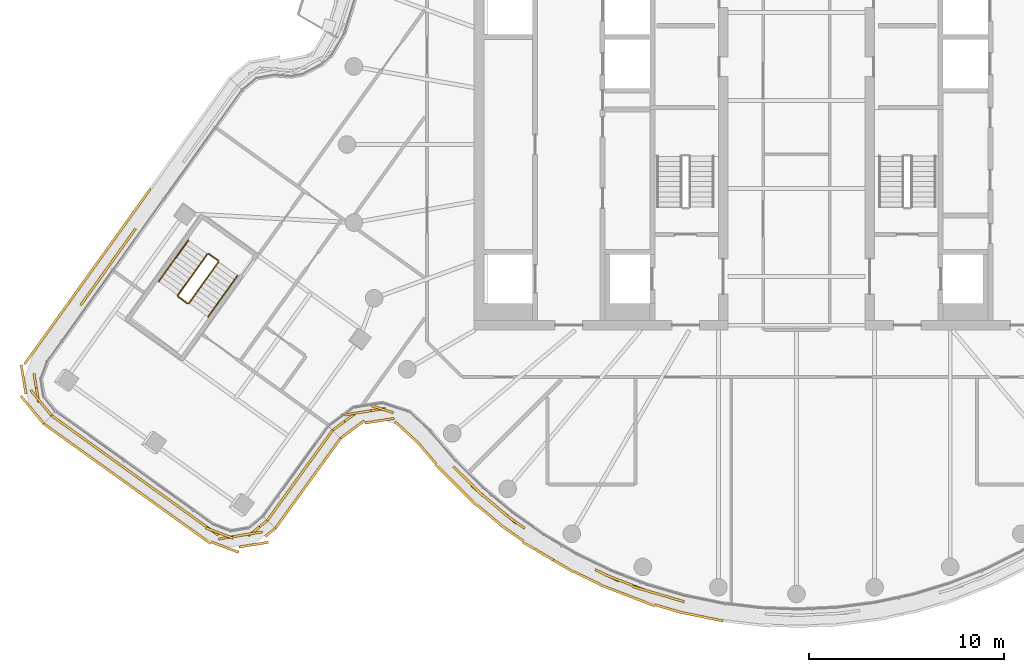
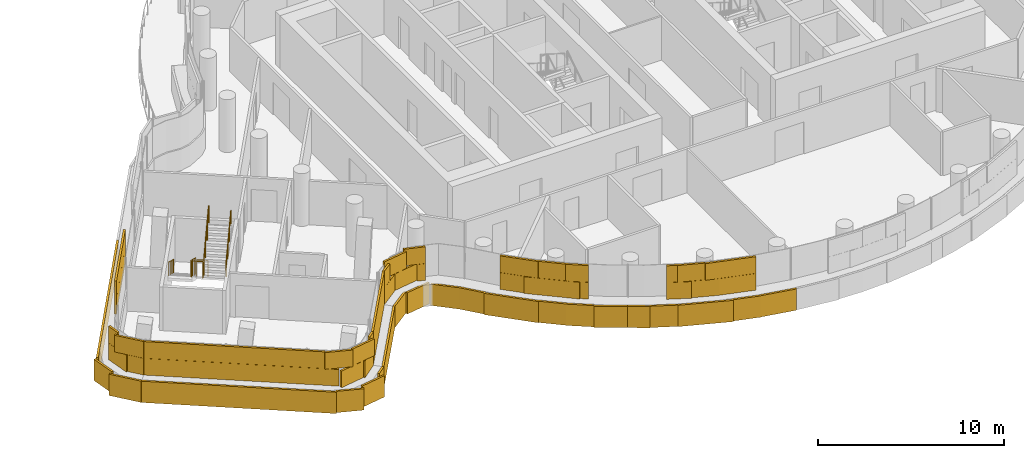
# One storey, part 22 of 27: 6 railings, 5 coverings.
"""IFC4 building model written with IfcOpenShell, lengths in metres."""

from ifc_helpers import new_model, si_unit, direction, frame, origin, origin_2d, place, context, subcontext, project, spatial, rectangle, circle, extrude, material, layer, layer_set, type_object, element, save


model = new_model("IFC4")

# Units and contexts
model_context = context("Model", 3, precision=1e-05, world=origin(), true_north=direction((0.0, 1.0)))
body_context = subcontext(model_context, "Body", "Model", "MODEL_VIEW")
ifc_project = project(units=[si_unit("LENGTHUNIT", "METRE"), si_unit("AREAUNIT", "SQUARE_METRE"), si_unit("VOLUMEUNIT", "CUBIC_METRE"), si_unit("PLANEANGLEUNIT", "RADIAN"), si_unit("MASSUNIT", "GRAM", prefix="KILO")], contexts=[model_context])

# Site, building, storey
site_placement = place(None, origin())
site = spatial("IfcSite", under=ifc_project, at=site_placement, CompositionType="ELEMENT")
building_placement = place(site_placement, origin())
building = spatial("IfcBuilding", under=site, at=building_placement, Name="Tamarind Cross Interchange Tower", CompositionType="ELEMENT")
storey_placement = place(building_placement, frame((0.0, 0.0, 230.699951171875)))
storey = spatial("IfcBuildingStorey", under=building, at=storey_placement, Name="L58", CompositionType="ELEMENT", Elevation=230.699951171875)

# Railings
ifc_material_1 = material(Name="Stair guard")
railing_type_1 = type_object("IfcRailingType", Name="Stair guard", PredefinedType="GUARDRAIL", material=ifc_material_1)
railing_1_placement = place(storey_placement, frame((-30.14453125, -5.601806640625, 0.16357421875)))
element("IfcRailing", 1, at=railing_1_placement, inside=storey, type_object=railing_type_1, Name="L58 ST5 stair guard 1", PredefinedType="GUARDRAIL", context=body_context, shape_type="SweptSolid", body=[
    extrude(circle(Radius=0.02392578125, at=origin_2d()), frame((0.0, 0.0, 1.076171875), z_axis=(-0.493519545822, -0.687510079051, 0.532699116851), x_axis=(0.812367078114, -0.583146405628, 0.0)), (0.0, 0.0, 1.0), 3.072021484375),
    extrude(circle(Radius=0.02099609375, at=origin_2d()), origin(), (0.0, 0.0, 1.0), 1.052001953125),
    extrude(circle(Radius=0.02099609375, at=origin_2d()), frame((-0.50537109375, -0.7041015625, 0.54541015625)), (0.0, 0.0, 1.0), 1.052001953125),
    extrude(circle(Radius=0.02099609375, at=origin_2d()), frame((-1.0107421875, -1.407958984375, 1.091064453125)), (0.0, 0.0, 1.0), 1.052001953125),
    extrude(circle(Radius=0.02099609375, at=origin_2d()), frame((-1.51611328125, -2.112060546875, 1.636474609375)), (0.0, 0.0, 1.0), 1.052001953125),
])
railing_2_placement = place(storey_placement, frame((-31.649169921875, -7.78369140625, 1.800048828125)))
element("IfcRailing", 2, at=railing_2_placement, inside=storey, type_object=railing_type_1, Name="L58 ST5 stair guard 2", PredefinedType="GUARDRAIL", context=body_context, shape_type="SweptSolid", body=[
    extrude(circle(Radius=0.02392578125, at=origin_2d()), frame((0.0, 0.0, 1.076171875), z_axis=(0.812467031037, -0.583007138445, 0.0), x_axis=(0.583007138445, 0.812467031037, 0.0)), (0.0, 0.0, 1.0), 0.60009765625),
    extrude(circle(Radius=0.02099609375, at=origin_2d()), origin(), (0.0, 0.0, 1.0), 1.052001953125),
    extrude(circle(Radius=0.02099609375, at=origin_2d()), frame((0.487548828125, -0.349853515625, 0.0)), (0.0, 0.0, 1.0), 1.052001953125),
])
railing_3_placement = place(storey_placement, frame((-31.092041015625, -8.1220703125, 1.963623046875)))
element("IfcRailing", 3, at=railing_3_placement, inside=storey, type_object=railing_type_1, Name="L58 ST5 stair guard 3", PredefinedType="GUARDRAIL", context=body_context, shape_type="SweptSolid", body=[
    extrude(circle(Radius=0.02392578125, at=origin_2d()), frame((0.0, 0.0, 1.076171875), z_axis=(0.493519545822, 0.687510079051, 0.532699116851), x_axis=(-0.812367078114, 0.583146405628, 0.0)), (0.0, 0.0, 1.0), 3.072021484375),
    extrude(circle(Radius=0.02099609375, at=origin_2d()), origin(), (0.0, 0.0, 1.0), 1.052001953125),
    extrude(circle(Radius=0.02099609375, at=origin_2d()), frame((0.50537109375, 0.7041015625, 0.54541015625)), (0.0, 0.0, 1.0), 1.052001953125),
    extrude(circle(Radius=0.02099609375, at=origin_2d()), frame((1.0107421875, 1.407958984375, 1.091064453125)), (0.0, 0.0, 1.0), 1.052001953125),
    extrude(circle(Radius=0.02099609375, at=origin_2d()), frame((1.51611328125, 2.112060546875, 1.636474609375)), (0.0, 0.0, 1.0), 1.052001953125),
])
railing_4_placement = place(storey_placement, frame((-30.07470703125, -5.59033203125, 0.0)))
element("IfcRailing", 4, at=railing_4_placement, inside=storey, type_object=railing_type_1, Name="L58 ST5 stair guard 4", PredefinedType="GUARDRAIL", context=body_context, shape_type="SweptSolid", body=[
    extrude(circle(Radius=0.02392578125, at=origin_2d()), frame((0.0, 0.0, 1.076171875), z_axis=(0.812328677333, -0.583199897104, 0.0), x_axis=(0.583199897104, 0.812328677333, 0.0)), (0.0, 0.0, 1.0), 0.599853515625),
    extrude(circle(Radius=0.02099609375, at=origin_2d()), origin(), (0.0, 0.0, 1.0), 1.052001953125),
    extrude(circle(Radius=0.02099609375, at=origin_2d()), frame((0.4873046875, -0.349853515625, 0.0)), (0.0, 0.0, 1.0), 1.052001953125),
])
ifc_material_2 = material(Name="Stair handrail")
railing_type_2 = type_object("IfcRailingType", Name="Stair handrail", PredefinedType="HANDRAIL", material=ifc_material_2)
railing_5_placement = place(storey_placement, frame((-31.119384765625, -4.90185546875, 0.16357421875)))
element("IfcRailing", 5, at=railing_5_placement, inside=storey, type_object=railing_type_2, Name="L58 ST5 stair handrail 1", PredefinedType="HANDRAIL", context=body_context, shape_type="SweptSolid", body=[
    extrude(circle(Radius=0.02392578125, at=origin_2d()), frame((0.0, 0.0, 0.8759765625), z_axis=(-0.493492581737, -0.687551983444, 0.532670012139), x_axis=(0.81239900757, -0.583101922909, 0.0)), (0.0, 0.0, 1.0), 3.072265625),
    extrude(circle(Radius=0.02099609375, at=origin_2d()), origin(), (0.0, 0.0, 1.0), 0.851806640625),
    extrude(circle(Radius=0.02099609375, at=origin_2d()), frame((-0.50537109375, -0.7041015625, 0.54541015625)), (0.0, 0.0, 1.0), 0.851806640625),
    extrude(circle(Radius=0.02099609375, at=origin_2d()), frame((-1.0107421875, -1.408203125, 1.091064453125)), (0.0, 0.0, 1.0), 0.851806640625),
    extrude(circle(Radius=0.02099609375, at=origin_2d()), frame((-1.51611328125, -2.1123046875, 1.636474609375)), (0.0, 0.0, 1.0), 0.851806640625),
])
railing_6_placement = place(storey_placement, frame((-30.1171875, -8.82177734375, 1.963623046875)))
element("IfcRailing", 6, at=railing_6_placement, inside=storey, type_object=railing_type_2, Name="L58 ST5 stair handrail 2", PredefinedType="HANDRAIL", context=body_context, shape_type="SweptSolid", body=[
    extrude(circle(Radius=0.02392578125, at=origin_2d()), frame((0.0, 0.0, 0.8759765625), z_axis=(0.493519545822, 0.687510079051, 0.532699116851), x_axis=(-0.812367078114, 0.583146405628, 0.0)), (0.0, 0.0, 1.0), 3.072021484375),
    extrude(circle(Radius=0.02099609375, at=origin_2d()), origin(), (0.0, 0.0, 1.0), 0.851806640625),
    extrude(circle(Radius=0.02099609375, at=origin_2d()), frame((0.50537109375, 0.7041015625, 0.54541015625)), (0.0, 0.0, 1.0), 0.851806640625),
    extrude(circle(Radius=0.02099609375, at=origin_2d()), frame((1.0107421875, 1.407958984375, 1.091064453125)), (0.0, 0.0, 1.0), 0.851806640625),
    extrude(circle(Radius=0.02099609375, at=origin_2d()), frame((1.51611328125, 2.112060546875, 1.636474609375)), (0.0, 0.0, 1.0), 0.851806640625),
])

# Coverings
ifc_material_3 = material(Name="Terracotta", Category="masonry")
ifc_layer = layer(ifc_material_3, 0.1201171875)
ifc_layer_set = layer_set([ifc_layer], Name="Terracotta")
covering_type = type_object("IfcCoveringType", Name="Terracotta baguette screen unit", PredefinedType="MOLDING", material=ifc_layer_set)
covering_1_placement = place(storey_placement, origin())
element("IfcCovering", 7, at=covering_1_placement, inside=storey, type_object=covering_type, Name="SCR-L58-00-00", PredefinedType="MOLDING", context=body_context, shape_type="SweptSolid", body=[
    extrude(rectangle(XDim=1.510009765625, YDim=0.1201171875, at=origin_2d()), frame((-37.513916015625, -14.3046875, 1.40380859375), z_axis=(0.0, 0.0, 1.0), x_axis=(0.812384886086, -0.583121596975, 0.0)), (0.0, 0.0, 1.0), 1.092041015625),
    extrude(rectangle(XDim=1.52001953125, YDim=0.1201171875, at=origin_2d()), frame((-36.29541015625, -15.179443359375, 1.40380859375), z_axis=(0.0, 0.0, 1.0), x_axis=(0.812384886086, -0.583121596975, 0.0)), (0.0, 0.0, 1.0), 1.092041015625),
    extrude(rectangle(XDim=1.52001953125, YDim=0.1201171875, at=origin_2d()), frame((-35.07666015625, -16.05419921875, 1.40380859375), z_axis=(0.0, 0.0, 1.0), x_axis=(0.812384886086, -0.583121596975, 0.0)), (0.0, 0.0, 1.0), 1.092041015625),
    extrude(rectangle(XDim=1.52001953125, YDim=0.1201171875, at=origin_2d()), frame((-33.858154296875, -16.9287109375, 1.40380859375), z_axis=(0.0, 0.0, 1.0), x_axis=(0.812384886086, -0.583121596975, 0.0)), (0.0, 0.0, 1.0), 1.092041015625),
    extrude(rectangle(XDim=1.52001953125, YDim=0.1201171875, at=origin_2d()), frame((-32.6396484375, -17.803466796875, 1.40380859375), z_axis=(0.0, 0.0, 1.0), x_axis=(0.812384886086, -0.583121596975, 0.0)), (0.0, 0.0, 1.0), 1.092041015625),
    extrude(rectangle(XDim=1.52001953125, YDim=0.1201171875, at=origin_2d()), frame((-31.4208984375, -18.67822265625, 1.40380859375), z_axis=(0.0, 0.0, 1.0), x_axis=(0.812384886086, -0.583121596975, 0.0)), (0.0, 0.0, 1.0), 1.092041015625),
    extrude(rectangle(XDim=1.52001953125, YDim=0.1201171875, at=origin_2d()), frame((-30.202392578125, -19.552734375, 1.40380859375), z_axis=(0.0, 0.0, 1.0), x_axis=(0.812384886086, -0.583121596975, 0.0)), (0.0, 0.0, 1.0), 1.092041015625),
    extrude(rectangle(XDim=1.52001953125, YDim=0.1201171875, at=origin_2d()), frame((-28.82470703125, -20.0654296875, 1.40380859375), z_axis=(0.0, 0.0, 1.0), x_axis=(0.986772097362, 0.162113626407, 0.0)), (0.0, 0.0, 1.0), 1.092041015625),
    extrude(rectangle(XDim=1.259521484375, YDim=0.1201171875, at=origin_2d()), frame((-27.5634765625, -19.632080078125, 1.40380859375), z_axis=(0.0, 0.0, 1.0), x_axis=(0.773512890858, 0.63378056745, 0.0)), (0.0, 0.0, 1.0), 1.092041015625),
    extrude(rectangle(XDim=0.760009765625, YDim=0.1201171875, at=origin_2d()), frame((-37.818603515625, -14.086181640625, 2.50390625), z_axis=(0.0, 0.0, 1.0), x_axis=(0.812384886086, -0.583121596975, 0.0)), (0.0, 0.0, 1.0), 1.092041015625),
    extrude(rectangle(XDim=1.52001953125, YDim=0.1201171875, at=origin_2d()), frame((-36.904541015625, -14.7421875, 2.50390625), z_axis=(0.0, 0.0, 1.0), x_axis=(0.812384886086, -0.583121596975, 0.0)), (0.0, 0.0, 1.0), 1.092041015625),
    extrude(rectangle(XDim=1.52001953125, YDim=0.1201171875, at=origin_2d()), frame((-35.68603515625, -15.61669921875, 2.50390625), z_axis=(0.0, 0.0, 1.0), x_axis=(0.812384886086, -0.583121596975, 0.0)), (0.0, 0.0, 1.0), 1.092041015625),
    extrude(rectangle(XDim=1.52001953125, YDim=0.1201171875, at=origin_2d()), frame((-34.467529296875, -16.491455078125, 2.50390625), z_axis=(0.0, 0.0, 1.0), x_axis=(0.812384886086, -0.583121596975, 0.0)), (0.0, 0.0, 1.0), 1.092041015625),
    extrude(rectangle(XDim=1.52001953125, YDim=0.1201171875, at=origin_2d()), frame((-33.248779296875, -17.3662109375, 2.50390625), z_axis=(0.0, 0.0, 1.0), x_axis=(0.812384886086, -0.583121596975, 0.0)), (0.0, 0.0, 1.0), 1.092041015625),
    extrude(rectangle(XDim=1.52001953125, YDim=0.1201171875, at=origin_2d()), frame((-32.0302734375, -18.24072265625, 2.50390625), z_axis=(0.0, 0.0, 1.0), x_axis=(0.812384886086, -0.583121596975, 0.0)), (0.0, 0.0, 1.0), 1.092041015625),
    extrude(rectangle(XDim=1.52001953125, YDim=0.1201171875, at=origin_2d()), frame((-30.811767578125, -19.115478515625, 2.50390625), z_axis=(0.0, 0.0, 1.0), x_axis=(0.812384886086, -0.583121596975, 0.0)), (0.0, 0.0, 1.0), 1.092041015625),
    extrude(rectangle(XDim=1.52001953125, YDim=0.1201171875, at=origin_2d()), frame((-29.534423828125, -19.880615234375, 2.50390625), z_axis=(0.0, 0.0, 1.0), x_axis=(0.935626517265, -0.352991529913, 0.0)), (0.0, 0.0, 1.0), 1.092041015625),
    extrude(rectangle(XDim=1.52001953125, YDim=0.1201171875, at=origin_2d()), frame((-28.084716796875, -19.94384765625, 2.50390625), z_axis=(0.0, 0.0, 1.0), x_axis=(0.986772097362, 0.162113626407, 0.0)), (0.0, 0.0, 1.0), 1.092041015625),
    extrude(rectangle(XDim=0.509521484375, YDim=0.1201171875, at=origin_2d()), frame((-27.2734375, -19.394287109375, 2.50390625), z_axis=(0.0, 0.0, 1.0), x_axis=(0.773512890858, 0.63378056745, 0.0)), (0.0, 0.0, 1.0), 1.092041015625),
    extrude(rectangle(XDim=1.510009765625, YDim=0.1201171875, at=origin_2d()), frame((-37.906005859375, -14.72998046875, 0.00390625), z_axis=(0.0, 0.0, 1.0), x_axis=(0.812384886086, -0.583121596975, 0.0)), (0.0, 0.0, 1.0), 1.39208984375),
    extrude(rectangle(XDim=1.52001953125, YDim=0.1201171875, at=origin_2d()), frame((-36.69140625, -15.6015625, 0.00390625), z_axis=(0.0, 0.0, 1.0), x_axis=(0.812384886086, -0.583121596975, 0.0)), (0.0, 0.0, 1.0), 1.39208984375),
    extrude(rectangle(XDim=1.52001953125, YDim=0.1201171875, at=origin_2d()), frame((-35.472900390625, -16.476318359375, 0.00390625), z_axis=(0.0, 0.0, 1.0), x_axis=(0.812384886086, -0.583121596975, 0.0)), (0.0, 0.0, 1.0), 1.39208984375),
    extrude(rectangle(XDim=1.52001953125, YDim=0.1201171875, at=origin_2d()), frame((-34.254150390625, -17.35107421875, 0.00390625), z_axis=(0.0, 0.0, 1.0), x_axis=(0.812384886086, -0.583121596975, 0.0)), (0.0, 0.0, 1.0), 1.39208984375),
    extrude(rectangle(XDim=1.52001953125, YDim=0.1201171875, at=origin_2d()), frame((-33.03564453125, -18.225830078125, 0.00390625), z_axis=(0.0, 0.0, 1.0), x_axis=(0.812384886086, -0.583121596975, 0.0)), (0.0, 0.0, 1.0), 1.39208984375),
    extrude(rectangle(XDim=1.52001953125, YDim=0.1201171875, at=origin_2d()), frame((-31.817138671875, -19.100341796875, 0.00390625), z_axis=(0.0, 0.0, 1.0), x_axis=(0.812384886086, -0.583121596975, 0.0)), (0.0, 0.0, 1.0), 1.39208984375),
    extrude(rectangle(XDim=1.52001953125, YDim=0.1201171875, at=origin_2d()), frame((-30.5986328125, -19.97509765625, 0.00390625), z_axis=(0.0, 0.0, 1.0), x_axis=(0.812384886086, -0.583121596975, 0.0)), (0.0, 0.0, 1.0), 1.39208984375),
    extrude(rectangle(XDim=1.52001953125, YDim=0.1201171875, at=origin_2d()), frame((-29.24755859375, -20.602294921875, 0.00390625), z_axis=(0.0, 0.0, 1.0), x_axis=(0.935626517265, -0.352991529913, 0.0)), (0.0, 0.0, 1.0), 1.39208984375),
    extrude(rectangle(XDim=1.52001953125, YDim=0.1201171875, at=origin_2d()), frame((-27.77880859375, -20.475341796875, 0.00390625), z_axis=(0.0, 0.0, 1.0), x_axis=(0.986772097362, 0.162113626407, 0.0)), (0.0, 0.0, 1.0), 1.39208984375),
    extrude(rectangle(XDim=0.675537109375, YDim=0.1201171875, at=origin_2d()), frame((-26.92041015625, -19.84716796875, 0.00390625), z_axis=(0.0, 0.0, 1.0), x_axis=(0.773512890858, 0.63378056745, 0.0)), (0.0, 0.0, 1.0), 1.39208984375),
])
covering_2_placement = place(storey_placement, origin())
element("IfcCovering", 8, at=covering_2_placement, inside=storey, type_object=covering_type, Name="SCR-L58-01-00", PredefinedType="MOLDING", context=body_context, shape_type="SweptSolid", body=[
    extrude(rectangle(XDim=1.510009765625, YDim=0.1201171875, at=origin_2d()), frame((-26.639892578125, -18.62890625, 1.40380859375), z_axis=(0.0, 0.0, 1.0), x_axis=(0.587095802606, 0.809517460319, 0.0)), (0.0, 0.0, 1.0), 1.092041015625),
    extrude(rectangle(XDim=1.52001953125, YDim=0.1201171875, at=origin_2d()), frame((-25.75927734375, -17.414794921875, 1.40380859375), z_axis=(0.0, 0.0, 1.0), x_axis=(0.587095802606, 0.809517460319, 0.0)), (0.0, 0.0, 1.0), 1.092041015625),
    extrude(rectangle(XDim=1.52001953125, YDim=0.1201171875, at=origin_2d()), frame((-24.878662109375, -16.200439453125, 1.40380859375), z_axis=(0.0, 0.0, 1.0), x_axis=(0.587095802606, 0.809517460319, 0.0)), (0.0, 0.0, 1.0), 1.092041015625),
    extrude(rectangle(XDim=1.20947265625, YDim=0.1201171875, at=origin_2d()), frame((-24.086181640625, -15.10791015625, 1.40380859375), z_axis=(0.0, 0.0, 1.0), x_axis=(0.587095802606, 0.809517460319, 0.0)), (0.0, 0.0, 1.0), 1.092041015625),
    extrude(rectangle(XDim=0.760009765625, YDim=0.1201171875, at=origin_2d()), frame((-26.860107421875, -18.9326171875, 2.50390625), z_axis=(0.0, 0.0, 1.0), x_axis=(0.587095802606, 0.809517460319, 0.0)), (0.0, 0.0, 1.0), 1.092041015625),
    extrude(rectangle(XDim=1.52001953125, YDim=0.1201171875, at=origin_2d()), frame((-26.199462890625, -18.02197265625, 2.50390625), z_axis=(0.0, 0.0, 1.0), x_axis=(0.587095802606, 0.809517460319, 0.0)), (0.0, 0.0, 1.0), 1.092041015625),
    extrude(rectangle(XDim=1.52001953125, YDim=0.1201171875, at=origin_2d()), frame((-25.31884765625, -16.8076171875, 2.50390625), z_axis=(0.0, 0.0, 1.0), x_axis=(0.587095802606, 0.809517460319, 0.0)), (0.0, 0.0, 1.0), 1.092041015625),
    extrude(rectangle(XDim=1.52001953125, YDim=0.1201171875, at=origin_2d()), frame((-24.438232421875, -15.59326171875, 2.50390625), z_axis=(0.0, 0.0, 1.0), x_axis=(0.587095802606, 0.809517460319, 0.0)), (0.0, 0.0, 1.0), 1.092041015625),
    extrude(rectangle(XDim=0.45947265625, YDim=0.1201171875, at=origin_2d()), frame((-23.865966796875, -14.80419921875, 2.50390625), z_axis=(0.0, 0.0, 1.0), x_axis=(0.587095802606, 0.809517460319, 0.0)), (0.0, 0.0, 1.0), 1.092041015625),
    extrude(rectangle(XDim=1.510009765625, YDim=0.1201171875, at=origin_2d()), frame((-26.2158203125, -19.02197265625, 0.00390625), z_axis=(0.0, 0.0, 1.0), x_axis=(0.587095802606, 0.809517460319, 0.0)), (0.0, 0.0, 1.0), 1.39208984375),
    extrude(rectangle(XDim=1.52001953125, YDim=0.1201171875, at=origin_2d()), frame((-25.338134765625, -17.811767578125, 0.00390625), z_axis=(0.0, 0.0, 1.0), x_axis=(0.587095802606, 0.809517460319, 0.0)), (0.0, 0.0, 1.0), 1.39208984375),
    extrude(rectangle(XDim=1.52001953125, YDim=0.1201171875, at=origin_2d()), frame((-24.45751953125, -16.597412109375, 0.00390625), z_axis=(0.0, 0.0, 1.0), x_axis=(0.587095802606, 0.809517460319, 0.0)), (0.0, 0.0, 1.0), 1.39208984375),
    extrude(rectangle(XDim=1.1953125, YDim=0.1201171875, at=origin_2d()), frame((-23.672119140625, -15.5146484375, 0.00390625), z_axis=(0.0, 0.0, 1.0), x_axis=(0.587095802606, 0.809517460319, 0.0)), (0.0, 0.0, 1.0), 1.39208984375),
])
covering_3_placement = place(storey_placement, origin())
element("IfcCovering", 9, at=covering_3_placement, inside=storey, type_object=covering_type, Name="SCR-L58-02-00", PredefinedType="MOLDING", context=body_context, shape_type="SweptSolid", body=[
    extrude(rectangle(XDim=1.510009765625, YDim=0.1201171875, at=origin_2d()), frame((-23.1318359375, -14.17529296875, 1.40380859375), z_axis=(0.0, 0.0, 1.0), x_axis=(0.802985376269, 0.595998729444, 0.0)), (0.0, 0.0, 1.0), 1.092041015625),
    extrude(rectangle(XDim=1.52001953125, YDim=0.1201171875, at=origin_2d()), frame((-21.78369140625, -13.622802734375, 1.40380859375), z_axis=(0.0, 0.0, 1.0), x_axis=(0.987616798841, 0.156885495336, 0.0)), (0.0, 0.0, 1.0), 1.092041015625),
    extrude(rectangle(XDim=0.447265625, YDim=0.1201171875, at=origin_2d()), frame((-20.84228515625, -13.6591796875, 1.40380859375), z_axis=(0.0, 0.0, 1.0), x_axis=(0.950110116466, -0.311914678379, 0.0)), (0.0, 0.0, 1.0), 1.092041015625),
    extrude(rectangle(XDim=1.372802734375, YDim=0.1201171875, at=origin_2d()), frame((-17.07958984375, -16.954833984375, 1.40380859375), z_axis=(0.0, 0.0, 1.0), x_axis=(0.710143317658, -0.704057148523, 0.0)), (0.0, 0.0, 1.0), 1.092041015625),
    extrude(rectangle(XDim=1.52001953125, YDim=0.1201171875, at=origin_2d()), frame((-16.049560546875, -17.94775390625, 1.40380859375), z_axis=(0.0, 0.0, 1.0), x_axis=(0.765858396687, -0.643009266048, 0.0)), (0.0, 0.0, 1.0), 1.092041015625),
    extrude(rectangle(XDim=1.52001953125, YDim=0.1201171875, at=origin_2d()), frame((-14.90087890625, -18.912353515625, 1.40380859375), z_axis=(0.0, 0.0, 1.0), x_axis=(0.765858396687, -0.643009266048, 0.0)), (0.0, 0.0, 1.0), 1.092041015625),
    extrude(rectangle(XDim=0.481201171875, YDim=0.1201171875, at=origin_2d()), frame((-14.108642578125, -19.497802734375, 1.40380859375), z_axis=(0.0, 0.0, 1.0), x_axis=(0.816341886298, -0.577568978284, 0.0)), (0.0, 0.0, 1.0), 1.092041015625),
    extrude(rectangle(XDim=0.760009765625, YDim=0.1201171875, at=origin_2d()), frame((-23.432861328125, -14.39892578125, 2.50390625), z_axis=(0.0, 0.0, 1.0), x_axis=(0.802985376269, 0.595998729444, 0.0)), (0.0, 0.0, 1.0), 1.092041015625),
    extrude(rectangle(XDim=1.52001953125, YDim=0.1201171875, at=origin_2d()), frame((-22.5244140625, -13.740478515625, 2.50390625), z_axis=(0.0, 0.0, 1.0), x_axis=(0.987616798841, 0.156885495336, 0.0)), (0.0, 0.0, 1.0), 1.092041015625),
    extrude(rectangle(XDim=1.197265625, YDim=0.1201171875, at=origin_2d()), frame((-21.198486328125, -13.542236328125, 2.50390625), z_axis=(0.0, 0.0, 1.0), x_axis=(0.950110116466, -0.311914678379, 0.0)), (0.0, 0.0, 1.0), 1.092041015625),
    extrude(rectangle(XDim=0.622802734375, YDim=0.1201171875, at=origin_2d()), frame((-17.345947265625, -16.69091796875, 2.50390625), z_axis=(0.0, 0.0, 1.0), x_axis=(0.710143317658, -0.704057148523, 0.0)), (0.0, 0.0, 1.0), 1.092041015625),
    extrude(rectangle(XDim=1.52001953125, YDim=0.1201171875, at=origin_2d()), frame((-16.595703125, -17.4345703125, 2.50390625), z_axis=(0.0, 0.0, 1.0), x_axis=(0.710143317658, -0.704057148523, 0.0)), (0.0, 0.0, 1.0), 1.092041015625),
    extrude(rectangle(XDim=1.52001953125, YDim=0.1201171875, at=origin_2d()), frame((-15.47509765625, -18.429931640625, 2.50390625), z_axis=(0.0, 0.0, 1.0), x_axis=(0.765858396687, -0.643009266048, 0.0)), (0.0, 0.0, 1.0), 1.092041015625),
    extrude(rectangle(XDim=1.231201171875, YDim=0.1201171875, at=origin_2d()), frame((-14.414794921875, -19.281005859375, 2.50390625), z_axis=(0.0, 0.0, 1.0), x_axis=(0.816341886298, -0.577568978284, 0.0)), (0.0, 0.0, 1.0), 1.092041015625),
    extrude(rectangle(XDim=1.510009765625, YDim=0.1201171875, at=origin_2d()), frame((-22.71484375, -14.580810546875, 0.00390625), z_axis=(0.0, 0.0, 1.0), x_axis=(0.802985376269, 0.595998729444, 0.0)), (0.0, 0.0, 1.0), 1.39208984375),
    extrude(rectangle(XDim=1.52001953125, YDim=0.1201171875, at=origin_2d()), frame((-21.32861328125, -14.1318359375, 0.00390625), z_axis=(0.0, 0.0, 1.0), x_axis=(0.987616798841, 0.156885495336, 0.0)), (0.0, 0.0, 1.0), 1.39208984375),
    extrude(rectangle(XDim=1.52001953125, YDim=0.1201171875, at=origin_2d()), frame((-19.978271484375, -14.703125, 0.00390625), z_axis=(0.0, 0.0, 1.0), x_axis=(0.734844878206, -0.678235213605, 0.0)), (0.0, 0.0, 1.0), 1.39208984375),
    extrude(rectangle(XDim=1.52001953125, YDim=0.1201171875, at=origin_2d()), frame((-18.93115234375, -15.773681640625, 0.00390625), z_axis=(0.0, 0.0, 1.0), x_axis=(0.64957723968, -0.760295606781, 0.0)), (0.0, 0.0, 1.0), 1.39208984375),
    extrude(rectangle(XDim=1.52001953125, YDim=0.1201171875, at=origin_2d()), frame((-17.946044921875, -16.904052734375, 0.00390625), z_axis=(0.0, 0.0, 1.0), x_axis=(0.710143317658, -0.704057148523, 0.0)), (0.0, 0.0, 1.0), 1.39208984375),
    extrude(rectangle(XDim=1.52001953125, YDim=0.1201171875, at=origin_2d()), frame((-16.880859375, -17.960205078125, 0.00390625), z_axis=(0.0, 0.0, 1.0), x_axis=(0.710143317658, -0.704057148523, 0.0)), (0.0, 0.0, 1.0), 1.39208984375),
    extrude(rectangle(XDim=1.52001953125, YDim=0.1201171875, at=origin_2d()), frame((-15.752197265625, -18.94677734375, 0.00390625), z_axis=(0.0, 0.0, 1.0), x_axis=(0.765858396687, -0.643009266048, 0.0)), (0.0, 0.0, 1.0), 1.39208984375),
    extrude(rectangle(XDim=1.52001953125, YDim=0.1201171875, at=origin_2d()), frame((-14.5732421875, -19.8720703125, 0.00390625), z_axis=(0.0, 0.0, 1.0), x_axis=(0.816341886298, -0.577568978284, 0.0)), (0.0, 0.0, 1.0), 1.39208984375),
    extrude(rectangle(XDim=1.52001953125, YDim=0.1201171875, at=origin_2d()), frame((-13.345947265625, -20.734130859375, 0.00390625), z_axis=(0.0, 0.0, 1.0), x_axis=(0.861248933065, -0.508183308752, 0.0)), (0.0, 0.0, 1.0), 1.39208984375),
    extrude(rectangle(XDim=0.308349609375, YDim=0.1201171875, at=origin_2d()), frame((-12.575927734375, -21.1884765625, 0.00390625), z_axis=(0.0, 0.0, 1.0), x_axis=(0.861248933065, -0.508183308752, 0.0)), (0.0, 0.0, 1.0), 1.39208984375),
])
covering_4_placement = place(storey_placement, origin())
element("IfcCovering", 10, at=covering_4_placement, inside=storey, type_object=covering_type, Name="SCR-L58-02-01", PredefinedType="MOLDING", context=body_context, shape_type="SweptSolid", body=[
    extrude(rectangle(XDim=1.338623046875, YDim=0.1201171875, at=origin_2d()), frame((-9.699951171875, -22.041015625, 1.40380859375), z_axis=(0.0, 0.0, 1.0), x_axis=(0.900272776334, -0.435326231914, 0.0)), (0.0, 0.0, 1.0), 1.092041015625),
    extrude(rectangle(XDim=1.52001953125, YDim=0.1201171875, at=origin_2d()), frame((-8.384521484375, -22.559326171875, 1.40380859375), z_axis=(0.0, 0.0, 1.0), x_axis=(0.933146843667, -0.359495435512, 0.0)), (0.0, 0.0, 1.0), 1.092041015625),
    extrude(rectangle(XDim=1.52001953125, YDim=0.1201171875, at=origin_2d()), frame((-6.9638671875, -23.036865234375, 1.40380859375), z_axis=(0.0, 0.0, 1.0), x_axis=(0.95964657186, -0.281208920763, 0.0)), (0.0, 0.0, 1.0), 1.092041015625),
    extrude(rectangle(XDim=0.524169921875, YDim=0.1201171875, at=origin_2d()), frame((-5.997314453125, -23.320068359375, 1.40380859375), z_axis=(0.0, 0.0, 1.0), x_axis=(0.95964657186, -0.281208920763, 0.0)), (0.0, 0.0, 1.0), 1.092041015625),
    extrude(rectangle(XDim=0.588623046875, YDim=0.1201171875, at=origin_2d()), frame((-10.03759765625, -21.877685546875, 2.50390625), z_axis=(0.0, 0.0, 1.0), x_axis=(0.900272776334, -0.435326231914, 0.0)), (0.0, 0.0, 1.0), 1.092041015625),
    extrude(rectangle(XDim=1.52001953125, YDim=0.1201171875, at=origin_2d()), frame((-9.084228515625, -22.289794921875, 2.50390625), z_axis=(0.0, 0.0, 1.0), x_axis=(0.933146843667, -0.359495435512, 0.0)), (0.0, 0.0, 1.0), 1.092041015625),
    extrude(rectangle(XDim=1.52001953125, YDim=0.1201171875, at=origin_2d()), frame((-7.68359375, -22.825927734375, 2.50390625), z_axis=(0.0, 0.0, 1.0), x_axis=(0.95964657186, -0.281208920763, 0.0)), (0.0, 0.0, 1.0), 1.092041015625),
    extrude(rectangle(XDim=1.274169921875, YDim=0.1201171875, at=origin_2d()), frame((-6.357177734375, -23.214599609375, 2.50390625), z_axis=(0.0, 0.0, 1.0), x_axis=(0.95964657186, -0.281208920763, 0.0)), (0.0, 0.0, 1.0), 1.092041015625),
    extrude(rectangle(XDim=1.211669921875, YDim=0.1201171875, at=origin_2d()), frame((-11.92138671875, -21.57470703125, 0.00390625), z_axis=(0.0, 0.0, 1.0), x_axis=(0.861248933065, -0.508183308752, 0.0)), (0.0, 0.0, 1.0), 1.39208984375),
    extrude(rectangle(XDim=1.52001953125, YDim=0.1201171875, at=origin_2d()), frame((-10.72216796875, -22.18408203125, 0.00390625), z_axis=(0.0, 0.0, 1.0), x_axis=(0.900272776334, -0.435326231914, 0.0)), (0.0, 0.0, 1.0), 1.39208984375),
    extrude(rectangle(XDim=1.52001953125, YDim=0.1201171875, at=origin_2d()), frame((-9.35595703125, -22.80029296875, 0.00390625), z_axis=(0.0, 0.0, 1.0), x_axis=(0.933146843667, -0.359495435512, 0.0)), (0.0, 0.0, 1.0), 1.39208984375),
    extrude(rectangle(XDim=1.52001953125, YDim=0.1201171875, at=origin_2d()), frame((-7.9560546875, -23.339599609375, 0.00390625), z_axis=(0.0, 0.0, 1.0), x_axis=(0.933146843667, -0.359495435512, 0.0)), (0.0, 0.0, 1.0), 1.39208984375),
    extrude(rectangle(XDim=1.52001953125, YDim=0.1201171875, at=origin_2d()), frame((-6.51806640625, -23.765625, 0.00390625), z_axis=(0.0, 0.0, 1.0), x_axis=(0.95964657186, -0.281208920763, 0.0)), (0.0, 0.0, 1.0), 1.39208984375),
    extrude(rectangle(XDim=1.52001953125, YDim=0.1201171875, at=origin_2d()), frame((-5.060546875, -24.114501953125, 0.00390625), z_axis=(0.0, 0.0, 1.0), x_axis=(0.9795909409, -0.201001463943, 0.0)), (0.0, 0.0, 1.0), 1.39208984375),
    extrude(rectangle(XDim=0.56689453125, YDim=0.1201171875, at=origin_2d()), frame((-4.057861328125, -24.320068359375, 0.00390625), z_axis=(0.0, 0.0, 1.0), x_axis=(0.9795909409, -0.201001463943, 0.0)), (0.0, 0.0, 1.0), 1.39208984375),
])
covering_5_placement = place(storey_placement, origin())
element("IfcCovering", 11, at=covering_5_placement, inside=storey, type_object=covering_type, Name="SCR-L58-07-01", PredefinedType="MOLDING", context=body_context, shape_type="SweptSolid", body=[
    extrude(rectangle(XDim=1.52001953125, YDim=0.1201171875, at=origin_2d()), frame((-34.262451171875, -4.9248046875, 1.40380859375), z_axis=(0.0, 0.0, 1.0), x_axis=(-0.583121596975, -0.812384886086, 0.0)), (0.0, 0.0, 1.0), 1.092041015625),
    extrude(rectangle(XDim=1.52001953125, YDim=0.1201171875, at=origin_2d()), frame((-35.13720703125, -6.1435546875, 1.40380859375), z_axis=(0.0, 0.0, 1.0), x_axis=(-0.583121596975, -0.812384886086, 0.0)), (0.0, 0.0, 1.0), 1.092041015625),
    extrude(rectangle(XDim=1.52001953125, YDim=0.1201171875, at=origin_2d()), frame((-36.01171875, -7.362060546875, 1.40380859375), z_axis=(0.0, 0.0, 1.0), x_axis=(-0.583121596975, -0.812384886086, 0.0)), (0.0, 0.0, 1.0), 1.092041015625),
    extrude(rectangle(XDim=0.31884765625, YDim=0.1201171875, at=origin_2d()), frame((-36.5390625, -8.0966796875, 1.40380859375), z_axis=(0.0, 0.0, 1.0), x_axis=(-0.583121596975, -0.812384886086, 0.0)), (0.0, 0.0, 1.0), 1.092041015625),
    extrude(rectangle(XDim=1.501220703125, YDim=0.1201171875, at=origin_2d()), frame((-38.8974609375, -12.458251953125, 1.40380859375), z_axis=(0.0, 0.0, 1.0), x_axis=(0.162113626407, -0.986772097362, 0.0)), (0.0, 0.0, 1.0), 1.092041015625),
    extrude(rectangle(XDim=0.923828125, YDim=0.1201171875, at=origin_2d()), frame((-38.412841796875, -13.513916015625, 1.40380859375), z_axis=(0.0, 0.0, 1.0), x_axis=(0.63378056745, -0.773512890858, 0.0)), (0.0, 0.0, 1.0), 1.092041015625),
    extrude(rectangle(XDim=0.763671875, YDim=0.1201171875, at=origin_2d()), frame((-34.042724609375, -4.61865234375, 2.50390625), z_axis=(0.0, 0.0, 1.0), x_axis=(-0.583121596975, -0.812384886086, 0.0)), (0.0, 0.0, 1.0), 1.092041015625),
    extrude(rectangle(XDim=1.52001953125, YDim=0.1201171875, at=origin_2d()), frame((-34.69970703125, -5.5341796875, 2.50390625), z_axis=(0.0, 0.0, 1.0), x_axis=(-0.583121596975, -0.812384886086, 0.0)), (0.0, 0.0, 1.0), 1.092041015625),
    extrude(rectangle(XDim=1.52001953125, YDim=0.1201171875, at=origin_2d()), frame((-35.574462890625, -6.752685546875, 2.50390625), z_axis=(0.0, 0.0, 1.0), x_axis=(-0.583121596975, -0.812384886086, 0.0)), (0.0, 0.0, 1.0), 1.092041015625),
    extrude(rectangle(XDim=1.06884765625, YDim=0.1201171875, at=origin_2d()), frame((-36.320556640625, -7.7919921875, 2.50390625), z_axis=(0.0, 0.0, 1.0), x_axis=(-0.583121596975, -0.812384886086, 0.0)), (0.0, 0.0, 1.0), 1.092041015625),
    extrude(rectangle(XDim=0.751220703125, YDim=0.1201171875, at=origin_2d()), frame((-38.958251953125, -12.08837890625, 2.50390625), z_axis=(0.0, 0.0, 1.0), x_axis=(0.162113626407, -0.986772097362, 0.0)), (0.0, 0.0, 1.0), 1.092041015625),
    extrude(rectangle(XDim=1.52001953125, YDim=0.1201171875, at=origin_2d()), frame((-38.702392578125, -13.160400390625, 2.50390625), z_axis=(0.0, 0.0, 1.0), x_axis=(0.63378056745, -0.773512890858, 0.0)), (0.0, 0.0, 1.0), 1.092041015625),
    extrude(rectangle(XDim=0.173828125, YDim=0.1201171875, at=origin_2d()), frame((-38.175048828125, -13.803955078125, 2.50390625), z_axis=(0.0, 0.0, 1.0), x_axis=(0.63378056745, -0.773512890858, 0.0)), (0.0, 0.0, 1.0), 1.092041015625),
    extrude(rectangle(XDim=0.553466796875, YDim=0.1201171875, at=origin_2d()), frame((-33.2177734375, -2.4853515625, 0.00390625), z_axis=(0.0, 0.0, 1.0), x_axis=(-0.583121596975, -0.812384886086, 0.0)), (0.0, 0.0, 1.0), 1.39208984375),
    extrude(rectangle(XDim=1.52001953125, YDim=0.1201171875, at=origin_2d()), frame((-33.810791015625, -3.311279296875, 0.00390625), z_axis=(0.0, 0.0, 1.0), x_axis=(-0.583121596975, -0.812384886086, 0.0)), (0.0, 0.0, 1.0), 1.39208984375),
    extrude(rectangle(XDim=1.52001953125, YDim=0.1201171875, at=origin_2d()), frame((-34.685546875, -4.530029296875, 0.00390625), z_axis=(0.0, 0.0, 1.0), x_axis=(-0.583121596975, -0.812384886086, 0.0)), (0.0, 0.0, 1.0), 1.39208984375),
    extrude(rectangle(XDim=1.52001953125, YDim=0.1201171875, at=origin_2d()), frame((-35.56005859375, -5.74853515625, 0.00390625), z_axis=(0.0, 0.0, 1.0), x_axis=(-0.583121596975, -0.812384886086, 0.0)), (0.0, 0.0, 1.0), 1.39208984375),
    extrude(rectangle(XDim=1.52001953125, YDim=0.1201171875, at=origin_2d()), frame((-36.434814453125, -6.967041015625, 0.00390625), z_axis=(0.0, 0.0, 1.0), x_axis=(-0.583121596975, -0.812384886086, 0.0)), (0.0, 0.0, 1.0), 1.39208984375),
    extrude(rectangle(XDim=1.52001953125, YDim=0.1201171875, at=origin_2d()), frame((-37.3095703125, -8.185546875, 0.00390625), z_axis=(0.0, 0.0, 1.0), x_axis=(-0.583121596975, -0.812384886086, 0.0)), (0.0, 0.0, 1.0), 1.39208984375),
    extrude(rectangle(XDim=1.52001953125, YDim=0.1201171875, at=origin_2d()), frame((-38.184326171875, -9.404296875, 0.00390625), z_axis=(0.0, 0.0, 1.0), x_axis=(-0.583121596975, -0.812384886086, 0.0)), (0.0, 0.0, 1.0), 1.39208984375),
    extrude(rectangle(XDim=1.52001953125, YDim=0.1201171875, at=origin_2d()), frame((-39.058837890625, -10.622802734375, 0.00390625), z_axis=(0.0, 0.0, 1.0), x_axis=(-0.583121596975, -0.812384886086, 0.0)), (0.0, 0.0, 1.0), 1.39208984375),
    extrude(rectangle(XDim=1.52001953125, YDim=0.1201171875, at=origin_2d()), frame((-39.551025390625, -12.021240234375, 0.00390625), z_axis=(0.0, 0.0, 1.0), x_axis=(0.162113626407, -0.986772097362, 0.0)), (0.0, 0.0, 1.0), 1.39208984375),
    extrude(rectangle(XDim=1.52001953125, YDim=0.1201171875, at=origin_2d()), frame((-39.203857421875, -13.454345703125, 0.00390625), z_axis=(0.0, 0.0, 1.0), x_axis=(0.63378056745, -0.773512890858, 0.0)), (0.0, 0.0, 1.0), 1.39208984375),
    extrude(rectangle(XDim=0.340087890625, YDim=0.1201171875, at=origin_2d()), frame((-38.626953125, -14.158203125, 0.00390625), z_axis=(0.0, 0.0, 1.0), x_axis=(0.63378056745, -0.773512890858, 0.0)), (0.0, 0.0, 1.0), 1.39208984375),
])

save(model, "model.ifc")
